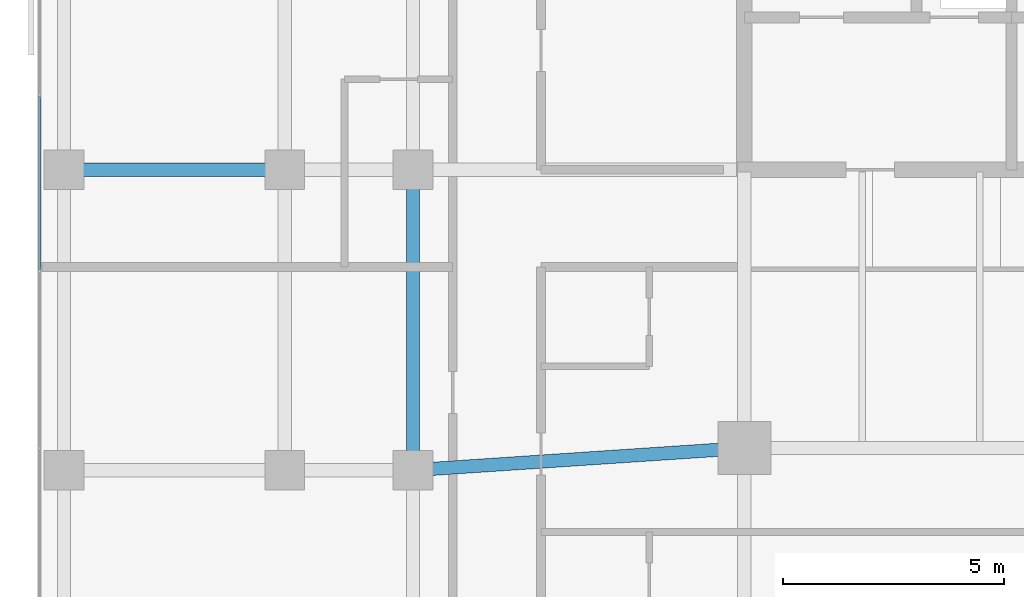
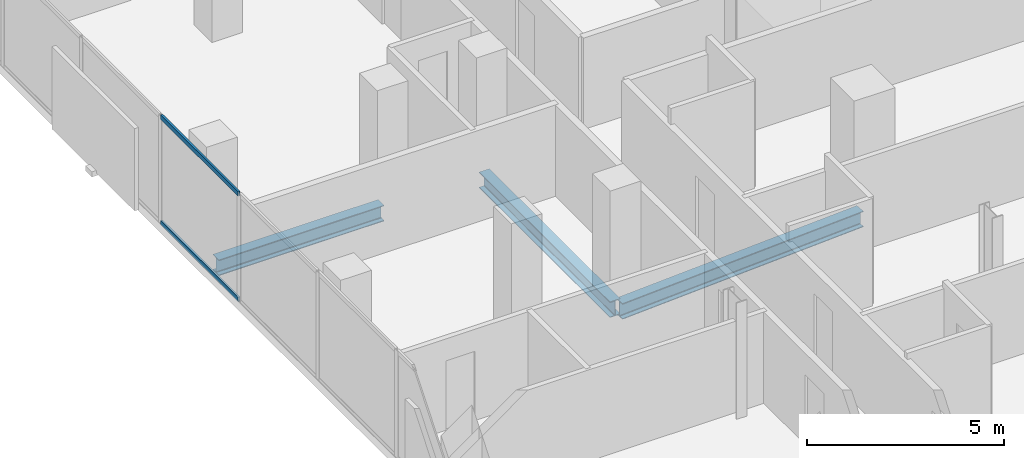
# One storey, part 10 of 34: 3 beams, 2 members, 1 element without a shape of its own.
"""IFC4 building model written with IfcOpenShell, lengths in metres."""

from ifc_helpers import new_model, si_unit, direction, frame, origin, origin_2d, place, context, subcontext, project, spatial, hollow_rectangle, i_section, extrude, material, layer, layer_set, material_profile, profile_set, type_object, element, aggregate, save


model = new_model("IFC4")

# Units and contexts
model_context = context("Model", 3, precision=1e-05, world=origin(), true_north=direction((0.0, 1.0)))
body_context = subcontext(model_context, "Body", "Model", "MODEL_VIEW")
ifc_project = project(units=[si_unit("LENGTHUNIT", "METRE"), si_unit("AREAUNIT", "SQUARE_METRE"), si_unit("VOLUMEUNIT", "CUBIC_METRE"), si_unit("PLANEANGLEUNIT", "RADIAN"), si_unit("MASSUNIT", "GRAM", prefix="KILO")], contexts=[model_context])

# Site, building, storey
site_placement = place(None, origin())
site = spatial("IfcSite", under=ifc_project, at=site_placement, CompositionType="ELEMENT")
building_placement = place(site_placement, origin())
building = spatial("IfcBuilding", under=site, at=building_placement, Name="Catumbela Crestline Tower", CompositionType="ELEMENT")
storey_placement = place(building_placement, frame((0.0, 0.0, 97.2)))
storey = spatial("IfcBuildingStorey", under=building, at=storey_placement, Name="L24", CompositionType="ELEMENT", Elevation=97.2)

# Beams
ifc_material_1 = material(Name="Structural steel S355J2", Category="steel")
ifc_material_profile_1 = material_profile(ifc_material_1, i_section(OverallWidth=0.3, OverallDepth=0.49, WebThickness=0.012, FlangeThickness=0.023, FilletRadius=0.027, at=origin_2d()), Name="HEA 500")
ifc_profile_set_1 = profile_set([ifc_material_profile_1], Name="Structural steel S355J2")
beam_type = type_object("IfcBeamType", Name="BG-HEA500", PredefinedType="BEAM", material=ifc_profile_set_1)
beam_1_placement = place(storey_placement, frame((8.5798, 24.0053, -0.505), z_axis=(0.997784796964, 0.066524423687, 0.0), x_axis=(-0.066524423687, 0.997784796964, 0.0)))
element("IfcBeam", 1, at=beam_1_placement, inside=storey, type_object=beam_type, Name="L24 Beam BM-L24-S03", PredefinedType="BEAM", context=body_context, shape_type="SweptSolid", body=[
    extrude(i_section(OverallWidth=0.3, OverallDepth=0.49, WebThickness=0.012, FlangeThickness=0.023, FilletRadius=0.027, at=origin_2d()), origin(), (0.0, 0.0, 1.0), 7.3567),
])
beam_2_placement = place(storey_placement, frame((0.68, 30.8, -0.505), z_axis=(1.0, 0.0, 0.0), x_axis=(0.0, 1.0, 0.0)))
element("IfcBeam", 2, at=beam_2_placement, inside=storey, type_object=beam_type, Name="L24 Beam BM-L24-M07", PredefinedType="BEAM", context=body_context, shape_type="SweptSolid", body=[
    extrude(i_section(OverallWidth=0.3, OverallDepth=0.49, WebThickness=0.012, FlangeThickness=0.023, FilletRadius=0.027, at=origin_2d()), origin(), (0.0, 0.0, 1.0), 4.84),
])
beam_3_placement = place(storey_placement, frame((8.5, 24.08, -0.505), z_axis=(0.0, 1.0, 0.0), x_axis=(-1.0, 0.0, 0.0)))
element("IfcBeam", 3, at=beam_3_placement, inside=storey, type_object=beam_type, Name="L24 Beam BM-L24-SN26", PredefinedType="BEAM", context=body_context, shape_type="SweptSolid", body=[
    extrude(i_section(OverallWidth=0.3, OverallDepth=0.49, WebThickness=0.012, FlangeThickness=0.023, FilletRadius=0.027, at=origin_2d()), origin(), (0.0, 0.0, 1.0), 6.64),
])

# Curtain wall, members
ifc_material_2 = material(Name="Aluminium alloy AW-6060-T66", Category="aluminium")
ifc_layer = layer(ifc_material_2, 0.18, Name="Aluminium alloy AW-6060-T66")
ifc_layer_set = layer_set([ifc_layer], Name="Aluminium alloy AW-6060-T66")
curtain_wall_type = type_object("IfcCurtainWallType", Name="CWU-Z2", PredefinedType="USERDEFINED", material=ifc_layer_set)
curtain_wall_placement = place(storey_placement, origin())
curtain_wall = element("IfcCurtainWall", 4, at=curtain_wall_placement, inside=storey, type_object=curtain_wall_type, Name="L24 Unitised Curtain Wall CW-L24-E9S1", ObjectType="UNITISED", PredefinedType="USERDEFINED")
ifc_material_profile_2 = material_profile(ifc_material_2, hollow_rectangle(XDim=0.06, YDim=0.14, WallThickness=0.004, at=origin_2d()), Name="ALU 140x60x4")
ifc_profile_set_2 = profile_set([ifc_material_profile_2], Name="Aluminium alloy AW-6060-T66")
member_type = type_object("IfcMemberType", Name="TRN-140X60", PredefinedType="USERDEFINED", material=ifc_profile_set_2)
member_1_placement = place(storey_placement, frame((0.05, 32.4675, 0.03), z_axis=(0.0, -1.0, 0.0), x_axis=(1.0, 0.0, 0.0)))
member_1 = element("IfcMember", 5, at=member_1_placement, type_object=member_type, Name="CWU-Z2 transom 4.1", ObjectType="TRANSOM", PredefinedType="USERDEFINED", context=body_context, shape_type="SweptSolid", body=[
    extrude(hollow_rectangle(XDim=0.06, YDim=0.14, WallThickness=0.004, at=origin_2d()), origin(), (0.0, 0.0, 1.0), 3.935),
])
member_2_placement = place(storey_placement, frame((0.05, 32.4675, 3.3), z_axis=(0.0, -1.0, 0.0), x_axis=(1.0, 0.0, 0.0)))
member_2 = element("IfcMember", 6, at=member_2_placement, type_object=member_type, Name="CWU-Z2 transom 4.2", ObjectType="TRANSOM", PredefinedType="USERDEFINED", context=body_context, shape_type="SweptSolid", body=[
    extrude(hollow_rectangle(XDim=0.06, YDim=0.14, WallThickness=0.004, at=origin_2d()), origin(), (0.0, 0.0, 1.0), 3.935),
])
aggregate(curtain_wall, [member_1, member_2])

save(model, "model.ifc")
